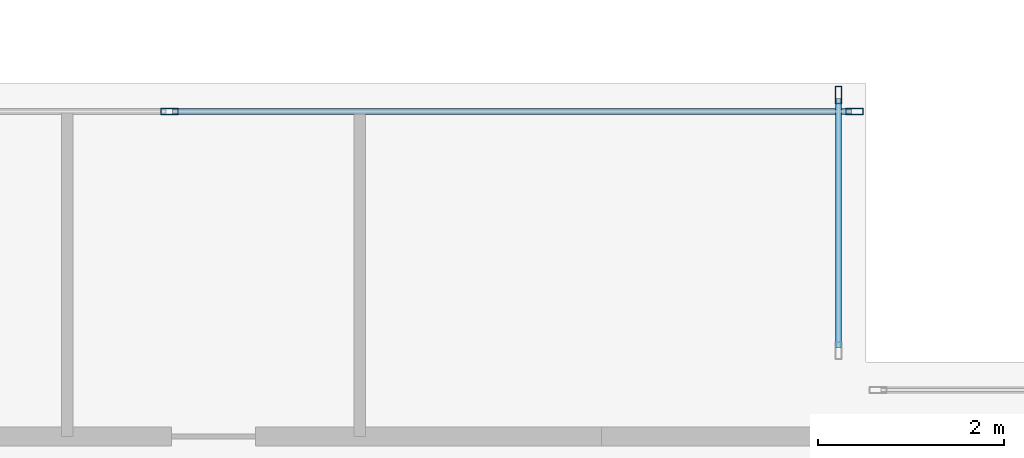
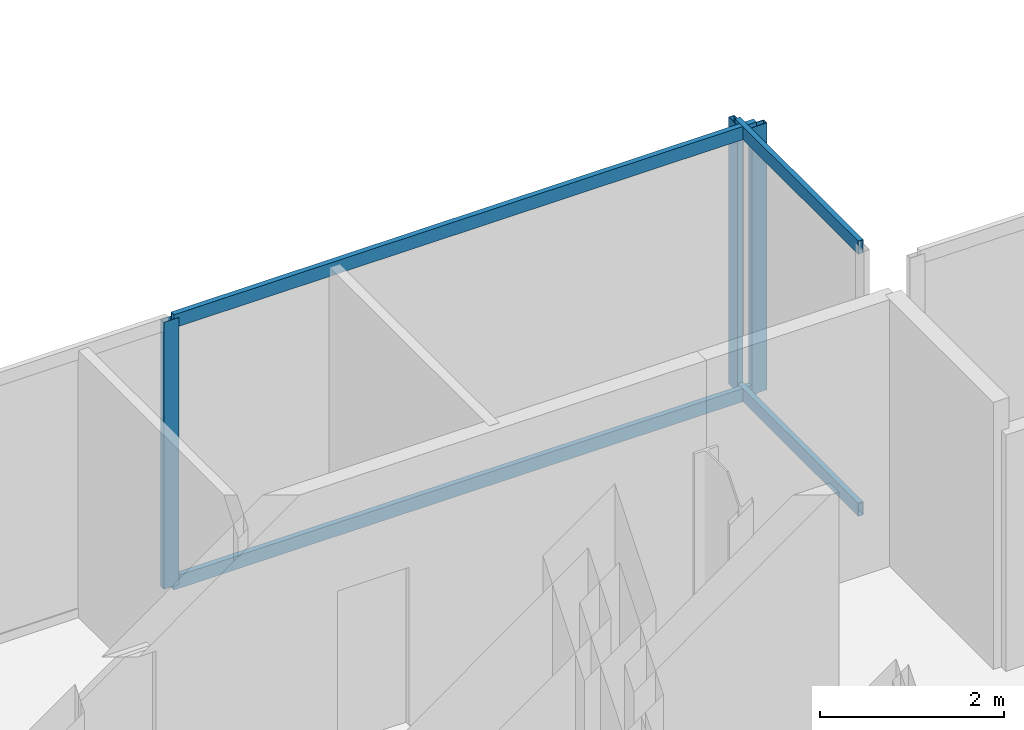
# One storey, part 13 of 25: 7 members, 2 elements without a shape of their own.
"""IFC4 building model written with IfcOpenShell, lengths in metres."""

from ifc_helpers import new_model, si_unit, direction, frame, origin, origin_2d, place, context, subcontext, project, spatial, hollow_rectangle, extrude, material, layer, layer_set, material_profile, profile_set, type_object, element, aggregate, save


model = new_model("IFC4")

# Units and contexts
model_context = context("Model", 3, precision=1e-05, world=origin(), true_north=direction((0.0, 1.0)))
body_context = subcontext(model_context, "Body", "Model", "MODEL_VIEW")
ifc_project = project(units=[si_unit("LENGTHUNIT", "METRE"), si_unit("AREAUNIT", "SQUARE_METRE"), si_unit("VOLUMEUNIT", "CUBIC_METRE"), si_unit("PLANEANGLEUNIT", "RADIAN"), si_unit("MASSUNIT", "GRAM", prefix="KILO"), si_unit("THERMODYNAMICTEMPERATUREUNIT", "KELVIN"), si_unit("POWERUNIT", "WATT")], contexts=[model_context])

# Site, building, storey
site_placement = place(None, origin())
site = spatial("IfcSite", under=ifc_project, at=site_placement, CompositionType="ELEMENT")
building_placement = place(site_placement, origin())
building = spatial("IfcBuilding", under=site, at=building_placement, Name="Svarakhadi Broadcast Tower", CompositionType="ELEMENT")
storey_placement = place(building_placement, frame((0.0, 0.0, 216.14990234375)))
storey = spatial("IfcBuildingStorey", under=building, at=storey_placement, Name="L53", CompositionType="ELEMENT", Elevation=216.14990234375)

# Curtain wall, members
ifc_material = material(Name="Anodised Bronze Aluminium AA 6063-T6", Category="aluminium")
ifc_layer = layer(ifc_material, 0.18994140625)
ifc_layer_set = layer_set([ifc_layer], Name="Anodised Bronze Aluminium AA 6063-T6")
curtain_wall_type = type_object("IfcCurtainWallType", Name="CW_Sys_04", PredefinedType="NOTDEFINED", material=ifc_layer_set)
curtain_wall_1_placement = place(storey_placement, origin())
curtain_wall_1 = element("IfcCurtainWall", 1, at=curtain_wall_1_placement, inside=storey, type_object=curtain_wall_type, Name="L53 Unitised Facade Curtain Wall 10", PredefinedType="NOTDEFINED")
ifc_material_profile_1 = material_profile(ifc_material, hollow_rectangle(XDim=0.070068359375, YDim=0.18994140625, WallThickness=0.005615234375, at=origin_2d()), Name="ALU MULLION 190x70x6")
ifc_profile_set_1 = profile_set([ifc_material_profile_1], Name="Anodised Bronze Aluminium AA 6063-T6")
member_type_1 = type_object("IfcMemberType", Name="CW_Sys_04_Mul", PredefinedType="MULLION", material=ifc_profile_set_1)
member_1_placement = place(storey_placement, frame((31.5, 23.699951171875, 0.0), z_axis=(0.0, 0.0, 1.0), x_axis=(0.0, 1.0, 0.0)))
member_1 = element("IfcMember", 2, at=member_1_placement, type_object=member_type_1, Name="CW-04 mullion 2", PredefinedType="MULLION", context=body_context, shape_type="SweptSolid", body=[
    extrude(hollow_rectangle(XDim=0.070068359375, YDim=0.18994140625, WallThickness=0.005615234375, at=origin_2d()), origin(), (0.0, 0.0, 1.0), 3.5400390625),
])
member_2_placement = place(storey_placement, frame((38.875, 23.699951171875, 0.0), z_axis=(0.0, 0.0, 1.0), x_axis=(0.0, 1.0, 0.0)))
member_2 = element("IfcMember", 3, at=member_2_placement, type_object=member_type_1, Name="CW-04 mullion 3", PredefinedType="MULLION", context=body_context, shape_type="SweptSolid", body=[
    extrude(hollow_rectangle(XDim=0.070068359375, YDim=0.18994140625, WallThickness=0.005615234375, at=origin_2d()), origin(), (0.0, 0.0, 1.0), 3.5400390625),
])

# Curtain wall, member
curtain_wall_2_placement = place(storey_placement, origin())
curtain_wall_2 = element("IfcCurtainWall", 4, at=curtain_wall_2_placement, inside=storey, type_object=curtain_wall_type, Name="L53 Unitised Facade Curtain Wall 11", PredefinedType="NOTDEFINED")
member_3_placement = place(storey_placement, frame((38.699951171875, 23.875, 0.0), z_axis=(0.0, 0.0, 1.0), x_axis=(1.0, 0.0, 0.0)))
member_3 = element("IfcMember", 5, at=member_3_placement, type_object=member_type_1, Name="CW-04 mullion 1", PredefinedType="MULLION", context=body_context, shape_type="SweptSolid", body=[
    extrude(hollow_rectangle(XDim=0.070068359375, YDim=0.18994140625, WallThickness=0.005615234375, at=origin_2d()), origin(), (0.0, 0.0, 1.0), 3.5400390625),
])

# Member
ifc_material_profile_2 = material_profile(ifc_material, hollow_rectangle(XDim=0.06494140625, YDim=0.175048828125, WallThickness=0.0048828125, at=origin_2d()), Name="ALU TRANSOM 175x65x5")
ifc_profile_set_2 = profile_set([ifc_material_profile_2], Name="Anodised Bronze Aluminium AA 6063-T6")
member_type_2 = type_object("IfcMemberType", Name="CW_Sys_04_Trn", PredefinedType="USERDEFINED", material=ifc_profile_set_2)
member_4_placement = place(storey_placement, frame((31.534912109375, 23.699951171875, 0.03271484375), z_axis=(1.0, 0.0, 0.0), x_axis=(0.0, 1.0, 0.0)))
member_4 = element("IfcMember", 6, at=member_4_placement, type_object=member_type_2, Name="CW-04 transom 2.1", ObjectType="TRANSOM", PredefinedType="USERDEFINED", context=body_context, shape_type="SweptSolid", body=[
    extrude(hollow_rectangle(XDim=0.06494140625, YDim=0.175048828125, WallThickness=0.0048828125, at=origin_2d()), origin(), (0.0, 0.0, 1.0), 7.30517578125),
])

member_5_placement = place(storey_placement, frame((31.534912109375, 23.699951171875, 3.507568359375), z_axis=(1.0, 0.0, 0.0), x_axis=(0.0, 1.0, 0.0)))
member_5 = element("IfcMember", 7, at=member_5_placement, type_object=member_type_2, Name="CW-04 transom 2.2", ObjectType="TRANSOM", PredefinedType="USERDEFINED", context=body_context, shape_type="SweptSolid", body=[
    extrude(hollow_rectangle(XDim=0.06494140625, YDim=0.175048828125, WallThickness=0.0048828125, at=origin_2d()), origin(), (0.0, 0.0, 1.0), 7.30517578125),
])

aggregate(curtain_wall_1, [member_1, member_2, member_4, member_5])

member_6_placement = place(storey_placement, frame((38.699951171875, 23.840087890625, 0.03271484375), z_axis=(0.0, -1.0, 0.0), x_axis=(1.0, 0.0, 0.0)))
member_6 = element("IfcMember", 8, at=member_6_placement, type_object=member_type_2, Name="CW-04 transom 1.1", ObjectType="TRANSOM", PredefinedType="USERDEFINED", context=body_context, shape_type="SweptSolid", body=[
    extrude(hollow_rectangle(XDim=0.06494140625, YDim=0.175048828125, WallThickness=0.0048828125, at=origin_2d()), origin(), (0.0, 0.0, 1.0), 2.68017578125),
])

member_7_placement = place(storey_placement, frame((38.699951171875, 23.840087890625, 3.507568359375), z_axis=(0.0, -1.0, 0.0), x_axis=(1.0, 0.0, 0.0)))
member_7 = element("IfcMember", 9, at=member_7_placement, type_object=member_type_2, Name="CW-04 transom 1.2", ObjectType="TRANSOM", PredefinedType="USERDEFINED", context=body_context, shape_type="SweptSolid", body=[
    extrude(hollow_rectangle(XDim=0.06494140625, YDim=0.175048828125, WallThickness=0.0048828125, at=origin_2d()), origin(), (0.0, 0.0, 1.0), 2.68017578125),
])

aggregate(curtain_wall_2, [member_3, member_6, member_7])

save(model, "model.ifc")
